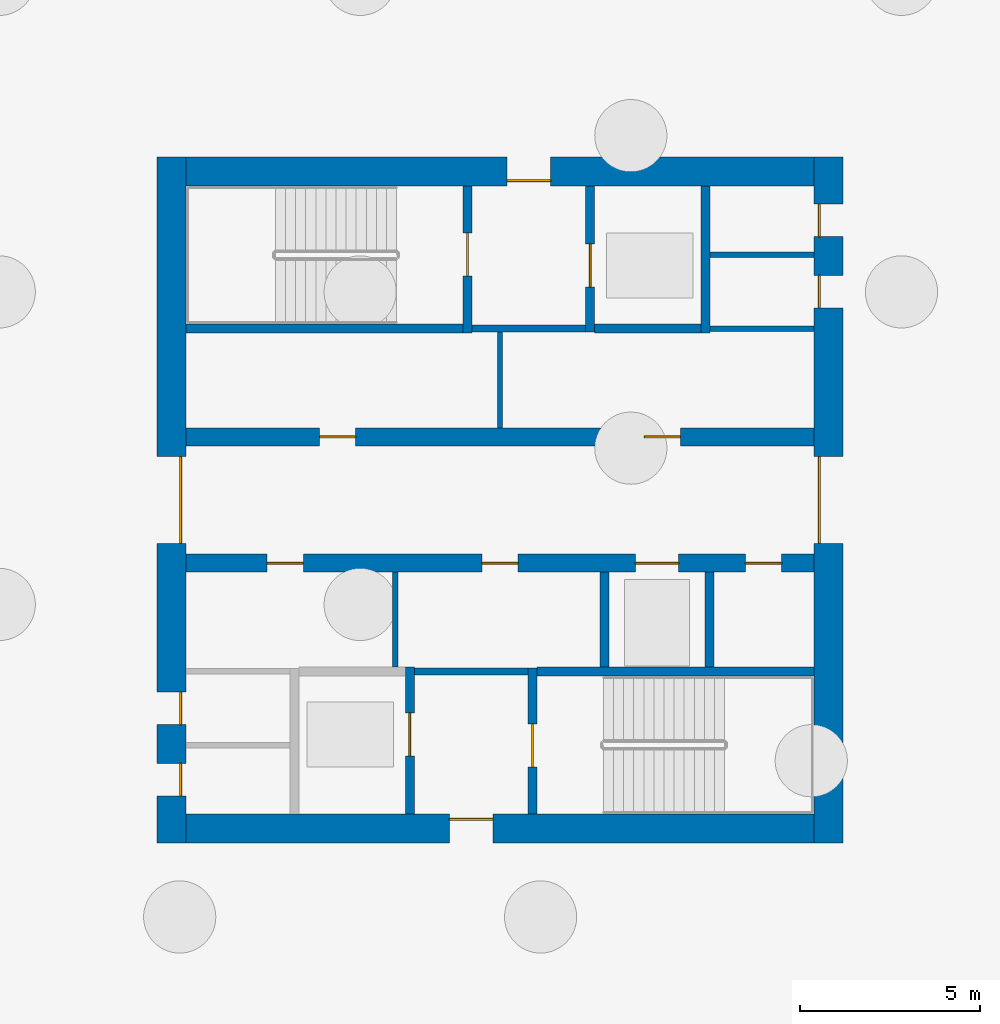
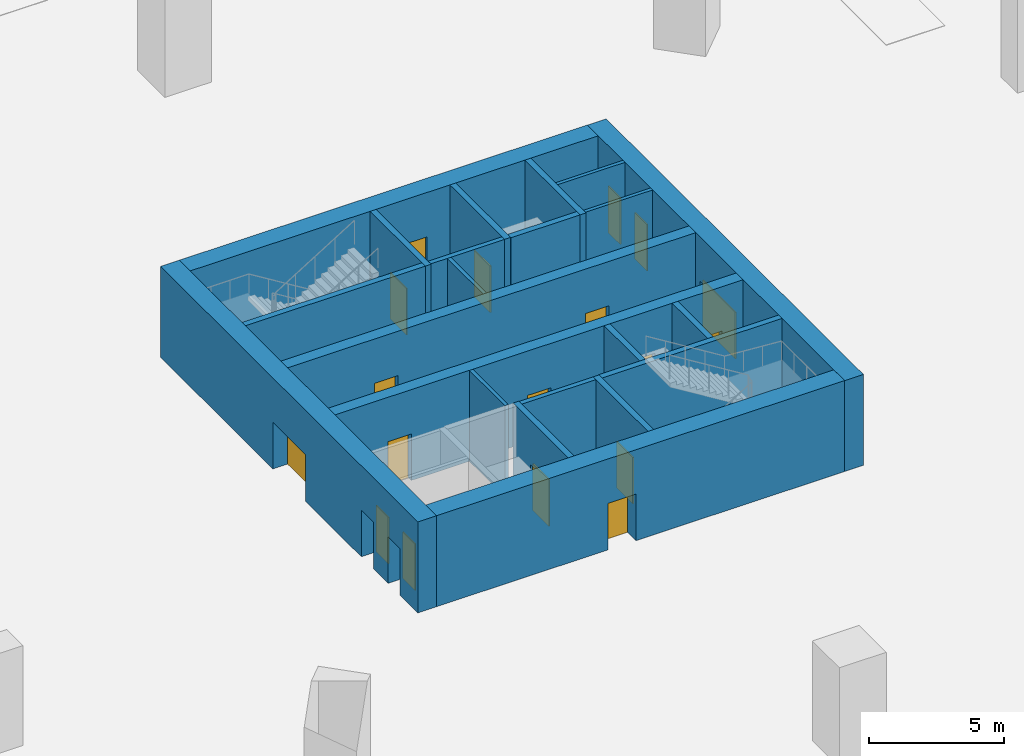
# One storey, part 15 of 39: 22 walls, 18 doors, 18 openings.
"""IFC4 building model written with IfcOpenShell, lengths in metres."""

from ifc_helpers import new_model, si_unit, direction, frame, frame_2d, origin, place, context, subcontext, project, spatial, rectangle, extrude, material, layer, layer_set, type_object, element, fill, save


model = new_model("IFC4")

# Units and contexts
model_context = context("Model", 3, precision=1e-05, world=origin(), true_north=direction((0.0, 1.0)))
body_context = subcontext(model_context, "Body", "Model", "MODEL_VIEW")
ifc_project = project(units=[si_unit("LENGTHUNIT", "METRE"), si_unit("AREAUNIT", "SQUARE_METRE"), si_unit("VOLUMEUNIT", "CUBIC_METRE"), si_unit("PLANEANGLEUNIT", "RADIAN"), si_unit("MASSUNIT", "GRAM", prefix="KILO")], contexts=[model_context])

# Site, building, storey
site_placement = place(None, origin())
site = spatial("IfcSite", under=ifc_project, at=site_placement, CompositionType="ELEMENT")
building_placement = place(site_placement, origin())
building = spatial("IfcBuilding", under=site, at=building_placement, Name="Ogive Gate Towers", CompositionType="ELEMENT")
storey_placement = place(building_placement, frame((0.0, 0.0, -9.0)))
storey = spatial("IfcBuildingStorey", under=building, at=storey_placement, Name="B2", CompositionType="ELEMENT", Elevation=-9.0)

# Walls
ifc_material_1 = material(Name="Masonry blockwork", Category="masonry")
ifc_layer_1 = layer(ifc_material_1, 0.199951171875)
ifc_layer_set_1 = layer_set([ifc_layer_1], Name="Blockwork wall 200 mm")
wall_type_1 = type_object("IfcWallType", Name="Blockwork wall 200 mm", PredefinedType="PARTITIONING", material=ifc_layer_set_1)
for number, where, z_axis, x_axis, name in (
    (1, (-38.375, -4.75, 0.0), (0.0, 0.0, 1.0), (1.0, 0.0, 0.0), "T1 B2 Blockwork wall 200 mm"),
    (2, (-36.77490234375, 4.75, 0.0), (0.0, 0.0, 1.0), (1.0, 0.0, 0.0), "T1 B2 Blockwork wall 200 mm"),
):
    element("IfcWall", number, at=place(storey_placement, frame(where, z_axis=z_axis, x_axis=x_axis)), inside=storey, type_object=wall_type_1, Name=name, PredefinedType="PARTITIONING", context=body_context, shape_type="SweptSolid", body=[
        extrude(rectangle(XDim=3.14990234375, YDim=0.199951171875, at=frame_2d((1.574951171875, 0.0))), origin(), (0.0, 0.0, 1.0), 4.10009765625),
    ])

# Wall, opening, door
ifc_material_2 = material(Name="Concrete C60/75", Category="concrete")
ifc_layer_2 = layer(ifc_material_2, 0.800048828125)
ifc_layer_set_2 = layer_set([ifc_layer_2], Name="Core wall 800 mm")
wall_type_2 = type_object("IfcWallType", Name="Core wall 800 mm", PredefinedType="SHEAR", material=ifc_layer_set_2)
wall_1_placement = place(storey_placement, frame((-44.699951171875, -9.10009765625, 0.0), z_axis=(0.0, 0.0, 1.0), x_axis=(1.0, 0.0, 0.0)))
wall_1 = element("IfcWall", 3, at=wall_1_placement, inside=storey, type_object=wall_type_2, Name="T1 B2 Core wall 800 mm", PredefinedType="SHEAR", context=body_context, shape_type="SweptSolid", body=[
    extrude(rectangle(XDim=17.39990234375, YDim=0.800048828125, at=frame_2d((8.699951171875, 0.0))), origin(), (0.0, 0.0, 1.0), 4.10009765625),
])
opening_1_placement = place(wall_1_placement, frame((7.300048828125, 0.0, 0.0)))
opening_1 = element("IfcOpeningElement", 4, at=opening_1_placement, cuts=wall_1, Name="Opening KD-T1-B2-14", PredefinedType="OPENING", context=body_context, shape_type="SweptSolid", body=[
    extrude(rectangle(XDim=1.199951171875, YDim=2.10009765625, at=frame_2d((0.60009765625, 1.050048828125))), frame((0.0, 0.41015625, 0.0), z_axis=(0.0, -1.0, 0.0), x_axis=(1.0, 0.0, 0.0)), (0.0, 0.0, 1.0), 0.820068359375),
])
ifc_material_3 = material(Name="Steel fire door", Category="steel")
door_type_1 = type_object("IfcDoorType", Name="Core door FD60S 1200 x 2100", OperationType="NOTDEFINED", PredefinedType="DOOR", material=ifc_material_3)
door_1_placement = place(opening_1_placement, origin())
door_1 = element("IfcDoor", 5, at=door_1_placement, inside=storey, type_object=door_type_1, Name="T1 B2 Fire-fighting lobby door", OperationType="SINGLE_SWING_LEFT", OverallHeight=2.10009765625, OverallWidth=1.199951171875, PredefinedType="DOOR", context=body_context, shape_type="SweptSolid", body=[
    extrude(rectangle(XDim=1.199951171875, YDim=2.10009765625, at=frame_2d((0.60009765625, 1.050048828125))), frame((0.0, 0.27490234375, 0.0), z_axis=(0.0, -1.0, 0.0), x_axis=(1.0, 0.0, 0.0)), (0.0, 0.0, 1.0), 0.050048828125),
])
fill(opening_1, door_1)

wall_2_placement = place(storey_placement, frame((-44.699951171875, 9.10009765625, 0.0), z_axis=(0.0, 0.0, 1.0), x_axis=(1.0, 0.0, 0.0)))
wall_2 = element("IfcWall", 6, at=wall_2_placement, inside=storey, type_object=wall_type_2, Name="T1 B2 Core wall 800 mm", PredefinedType="SHEAR", context=body_context, shape_type="SweptSolid", body=[
    extrude(rectangle(XDim=17.39990234375, YDim=0.800048828125, at=frame_2d((8.699951171875, 0.0))), origin(), (0.0, 0.0, 1.0), 4.10009765625),
])
opening_2_placement = place(wall_2_placement, frame((8.89990234375, 0.0, 0.0)))
opening_2 = element("IfcOpeningElement", 7, at=opening_2_placement, cuts=wall_2, Name="Opening KD-T1-B2-13", PredefinedType="OPENING", context=body_context, shape_type="SweptSolid", body=[
    extrude(rectangle(XDim=1.199951171875, YDim=2.10009765625, at=frame_2d((0.60009765625, 1.050048828125))), frame((0.0, 0.41015625, 0.0), z_axis=(0.0, -1.0, 0.0), x_axis=(1.0, 0.0, 0.0)), (0.0, 0.0, 1.0), 0.820068359375),
])
door_2_placement = place(opening_2_placement, origin())
door_2 = element("IfcDoor", 8, at=door_2_placement, inside=storey, type_object=door_type_1, Name="T1 B2 Fire-fighting lobby door", OperationType="SINGLE_SWING_RIGHT", OverallHeight=2.10009765625, OverallWidth=1.199951171875, PredefinedType="DOOR", context=body_context, shape_type="SweptSolid", body=[
    extrude(rectangle(XDim=1.199951171875, YDim=2.10009765625, at=frame_2d((0.60009765625, 1.050048828125))), frame((0.0, -0.22509765625, 0.0), z_axis=(0.0, -1.0, 0.0), x_axis=(1.0, 0.0, 0.0)), (0.0, 0.0, 1.0), 0.050048828125),
])
fill(opening_2, door_2)

# Wall, openings, doors
wall_3_placement = place(storey_placement, frame((-45.10009765625, -9.5, 0.0), z_axis=(0.0, 0.0, 1.0), x_axis=(0.0, 1.0, 0.0)))
wall_3 = element("IfcWall", 9, at=wall_3_placement, inside=storey, type_object=wall_type_2, Name="T1 B2 Core wall 800 mm", PredefinedType="SHEAR", context=body_context, shape_type="SweptSolid", body=[
    extrude(rectangle(XDim=19.0, YDim=0.800048828125, at=frame_2d((9.5, 0.0))), origin(), (0.0, 0.0, 1.0), 4.10009765625),
])
opening_3_placement = place(wall_3_placement, frame((8.300048828125, 0.0, 0.0)))
opening_3 = element("IfcOpeningElement", 10, at=opening_3_placement, cuts=wall_3, Name="Opening KD-T1-B2-01", PredefinedType="OPENING", context=body_context, shape_type="SweptSolid", body=[
    extrude(rectangle(XDim=2.39990234375, YDim=2.10009765625, at=frame_2d((1.199951171875, 1.050048828125))), frame((0.0, 0.41015625, 0.0), z_axis=(0.0, -1.0, 0.0), x_axis=(1.0, 0.0, 0.0)), (0.0, 0.0, 1.0), 0.820068359375),
])
opening_4_placement = place(wall_3_placement, frame((1.300048828125, 0.0, 0.0)))
opening_4 = element("IfcOpeningElement", 11, at=opening_4_placement, cuts=wall_3, Name="Opening KD-T1-B2-17", PredefinedType="OPENING", context=body_context, shape_type="SweptSolid", body=[
    extrude(rectangle(XDim=0.89990234375, YDim=2.10009765625, at=frame_2d((0.449951171875, 1.050048828125))), frame((0.0, 0.41015625, 0.0), z_axis=(0.0, -1.0, 0.0), x_axis=(1.0, 0.0, 0.0)), (0.0, 0.0, 1.0), 0.820068359375),
])
opening_5_placement = place(wall_3_placement, frame((3.27490234375, 0.0, 0.0)))
opening_5 = element("IfcOpeningElement", 12, at=opening_5_placement, cuts=wall_3, Name="Opening KD-T1-B2-18", PredefinedType="OPENING", context=body_context, shape_type="SweptSolid", body=[
    extrude(rectangle(XDim=0.89990234375, YDim=2.10009765625, at=frame_2d((0.449951171875, 1.050048828125))), frame((0.0, 0.41015625, 0.0), z_axis=(0.0, -1.0, 0.0), x_axis=(1.0, 0.0, 0.0)), (0.0, 0.0, 1.0), 0.820068359375),
])
door_type_2 = type_object("IfcDoorType", Name="Core door FD60S 900 x 2100", OperationType="NOTDEFINED", PredefinedType="DOOR", material=ifc_material_3)
door_3_placement = place(opening_4_placement, origin())
door_3 = element("IfcDoor", 13, at=door_3_placement, inside=storey, type_object=door_type_2, Name="T1 B2 Core door", OperationType="SINGLE_SWING_RIGHT", OverallHeight=2.10009765625, OverallWidth=0.89990234375, PredefinedType="DOOR", context=body_context, shape_type="SweptSolid", body=[
    extrude(rectangle(XDim=0.89990234375, YDim=2.10009765625, at=frame_2d((0.449951171875, 1.050048828125))), frame((0.0, -0.22509765625, 0.0), z_axis=(0.0, -1.0, 0.0), x_axis=(1.0, 0.0, 0.0)), (0.0, 0.0, 1.0), 0.050048828125),
])
fill(opening_4, door_3)
door_4_placement = place(opening_5_placement, origin())
door_4 = element("IfcDoor", 14, at=door_4_placement, inside=storey, type_object=door_type_2, Name="T1 B2 Core door", OperationType="SINGLE_SWING_LEFT", OverallHeight=2.10009765625, OverallWidth=0.89990234375, PredefinedType="DOOR", context=body_context, shape_type="SweptSolid", body=[
    extrude(rectangle(XDim=0.89990234375, YDim=2.10009765625, at=frame_2d((0.449951171875, 1.050048828125))), frame((0.0, -0.22509765625, 0.0), z_axis=(0.0, -1.0, 0.0), x_axis=(1.0, 0.0, 0.0)), (0.0, 0.0, 1.0), 0.050048828125),
])
fill(opening_5, door_4)
door_type_3 = type_object("IfcDoorType", Name="Core double door FD60S 2400 x 2100", OperationType="DOUBLE_DOOR_SINGLE_SWING", PredefinedType="DOOR", material=ifc_material_3)
door_5_placement = place(opening_3_placement, origin())
door_5 = element("IfcDoor", 15, at=door_5_placement, inside=storey, type_object=door_type_3, Name="T1 B2 Core door double", OperationType="DOUBLE_DOOR_SINGLE_SWING", OverallHeight=2.10009765625, OverallWidth=2.39990234375, PredefinedType="DOOR", context=body_context, shape_type="SweptSolid", body=[
    extrude(rectangle(XDim=2.39990234375, YDim=2.10009765625, at=frame_2d((1.199951171875, 1.050048828125))), frame((0.0, -0.22509765625, 0.0), z_axis=(0.0, -1.0, 0.0), x_axis=(1.0, 0.0, 0.0)), (0.0, 0.0, 1.0), 0.050048828125),
])
fill(opening_3, door_5)

wall_4_placement = place(storey_placement, frame((-26.89990234375, -9.5, 0.0), z_axis=(0.0, 0.0, 1.0), x_axis=(0.0, 1.0, 0.0)))
wall_4 = element("IfcWall", 16, at=wall_4_placement, inside=storey, type_object=wall_type_2, Name="T1 B2 Core wall 800 mm", PredefinedType="SHEAR", context=body_context, shape_type="SweptSolid", body=[
    extrude(rectangle(XDim=19.0, YDim=0.800048828125, at=frame_2d((9.5, 0.0))), origin(), (0.0, 0.0, 1.0), 4.10009765625),
])
opening_6_placement = place(wall_4_placement, frame((8.300048828125, 0.0, 0.0)))
opening_6 = element("IfcOpeningElement", 17, at=opening_6_placement, cuts=wall_4, Name="Opening KD-T1-B2-02", PredefinedType="OPENING", context=body_context, shape_type="SweptSolid", body=[
    extrude(rectangle(XDim=2.39990234375, YDim=2.10009765625, at=frame_2d((1.199951171875, 1.050048828125))), frame((0.0, 0.41015625, 0.0), z_axis=(0.0, -1.0, 0.0), x_axis=(1.0, 0.0, 0.0)), (0.0, 0.0, 1.0), 0.820068359375),
])
opening_7_placement = place(wall_4_placement, frame((14.824951171875, 0.0, 0.0)))
opening_7 = element("IfcOpeningElement", 18, at=opening_7_placement, cuts=wall_4, Name="Opening KD-T1-B2-15", PredefinedType="OPENING", context=body_context, shape_type="SweptSolid", body=[
    extrude(rectangle(XDim=0.89990234375, YDim=2.10009765625, at=frame_2d((0.449951171875, 1.050048828125))), frame((0.0, 0.41015625, 0.0), z_axis=(0.0, -1.0, 0.0), x_axis=(1.0, 0.0, 0.0)), (0.0, 0.0, 1.0), 0.820068359375),
])
opening_8_placement = place(wall_4_placement, frame((16.800048828125, 0.0, 0.0)))
opening_8 = element("IfcOpeningElement", 19, at=opening_8_placement, cuts=wall_4, Name="Opening KD-T1-B2-16", PredefinedType="OPENING", context=body_context, shape_type="SweptSolid", body=[
    extrude(rectangle(XDim=0.89990234375, YDim=2.10009765625, at=frame_2d((0.449951171875, 1.050048828125))), frame((0.0, 0.41015625, 0.0), z_axis=(0.0, -1.0, 0.0), x_axis=(1.0, 0.0, 0.0)), (0.0, 0.0, 1.0), 0.820068359375),
])
door_6_placement = place(opening_7_placement, origin())
door_6 = element("IfcDoor", 20, at=door_6_placement, inside=storey, type_object=door_type_2, Name="T1 B2 Core door", OperationType="SINGLE_SWING_RIGHT", OverallHeight=2.10009765625, OverallWidth=0.89990234375, PredefinedType="DOOR", context=body_context, shape_type="SweptSolid", body=[
    extrude(rectangle(XDim=0.89990234375, YDim=2.10009765625, at=frame_2d((0.449951171875, 1.050048828125))), frame((0.0, 0.27490234375, 0.0), z_axis=(0.0, -1.0, 0.0), x_axis=(1.0, 0.0, 0.0)), (0.0, 0.0, 1.0), 0.050048828125),
])
fill(opening_7, door_6)
door_7_placement = place(opening_8_placement, origin())
door_7 = element("IfcDoor", 21, at=door_7_placement, inside=storey, type_object=door_type_2, Name="T1 B2 Core door", OperationType="SINGLE_SWING_LEFT", OverallHeight=2.10009765625, OverallWidth=0.89990234375, PredefinedType="DOOR", context=body_context, shape_type="SweptSolid", body=[
    extrude(rectangle(XDim=0.89990234375, YDim=2.10009765625, at=frame_2d((0.449951171875, 1.050048828125))), frame((0.0, 0.27490234375, 0.0), z_axis=(0.0, -1.0, 0.0), x_axis=(1.0, 0.0, 0.0)), (0.0, 0.0, 1.0), 0.050048828125),
])
fill(opening_8, door_7)
door_8_placement = place(opening_6_placement, origin())
door_8 = element("IfcDoor", 22, at=door_8_placement, inside=storey, type_object=door_type_3, Name="T1 B2 Core door double", OperationType="DOUBLE_DOOR_SINGLE_SWING", OverallHeight=2.10009765625, OverallWidth=2.39990234375, PredefinedType="DOOR", context=body_context, shape_type="SweptSolid", body=[
    extrude(rectangle(XDim=2.39990234375, YDim=2.10009765625, at=frame_2d((1.199951171875, 1.050048828125))), frame((0.0, 0.27490234375, 0.0), z_axis=(0.0, -1.0, 0.0), x_axis=(1.0, 0.0, 0.0)), (0.0, 0.0, 1.0), 0.050048828125),
])
fill(opening_6, door_8)

# Walls
ifc_material_4 = material(Name="Gypsum board partition")
ifc_layer_3 = layer(ifc_material_4, 0.14990234375)
ifc_layer_set_3 = layer_set([ifc_layer_3], Name="Room partition 150 mm")
wall_type_3 = type_object("IfcWallType", Name="Room partition 150 mm", PredefinedType="PARTITIONING", material=ifc_layer_set_3)
for number, where, z_axis, x_axis, name in (
    (23, (-30.175048828125, 4.75, 0.0), (0.0, 0.0, 1.0), (1.0, 0.0, 0.0), "T1 B2 Room partition 150 mm"),
    (24, (-30.175048828125, 6.800048828125, 0.0), (0.0, 0.0, 1.0), (1.0, 0.0, 0.0), "T1 B2 Room partition 150 mm"),
):
    element("IfcWall", number, at=place(storey_placement, frame(where, z_axis=z_axis, x_axis=x_axis)), inside=storey, type_object=wall_type_3, Name=name, PredefinedType="PARTITIONING", context=body_context, shape_type="SweptSolid", body=[
        extrude(rectangle(XDim=2.875, YDim=0.14990234375, at=frame_2d((1.4375, 0.0))), origin(), (0.0, 0.0, 1.0), 4.10009765625),
    ])
wall_5_placement = place(storey_placement, frame((-38.89990234375, -4.625, 0.0), z_axis=(0.0, 0.0, 1.0), x_axis=(0.0, 1.0, 0.0)))
element("IfcWall", 25, at=wall_5_placement, inside=storey, type_object=wall_type_3, Name="T1 B2 Room partition 150 mm", PredefinedType="PARTITIONING", context=body_context, shape_type="SweptSolid", body=[
    extrude(rectangle(XDim=2.625, YDim=0.14990234375, at=frame_2d((1.3125, 0.0))), origin(), (0.0, 0.0, 1.0), 4.10009765625),
])
wall_6_placement = place(storey_placement, frame((-36.0, 2.0, 0.0), z_axis=(0.0, 0.0, 1.0), x_axis=(0.0, 1.0, 0.0)))
element("IfcWall", 26, at=wall_6_placement, inside=storey, type_object=wall_type_3, Name="T1 B2 Room partition 150 mm", PredefinedType="PARTITIONING", context=body_context, shape_type="SweptSolid", body=[
    extrude(rectangle(XDim=2.64990234375, YDim=0.14990234375, at=frame_2d((1.324951171875, 0.0))), origin(), (0.0, 0.0, 1.0), 4.10009765625),
])
ifc_layer_4 = layer(ifc_material_2, 0.25)
ifc_layer_set_4 = layer_set([ifc_layer_4], Name="Shaft wall 250 mm")
wall_type_4 = type_object("IfcWallType", Name="Shaft wall 250 mm", PredefinedType="SHEAR", material=ifc_layer_set_4)
for number, where, z_axis, x_axis, name in (
    (27, (-34.97509765625, -4.75, 0.0), (0.0, 0.0, 1.0), (1.0, 0.0, 0.0), "T1 B2 Shaft wall 250 mm"),
    (28, (-44.699951171875, 4.75, 0.0), (0.0, 0.0, 1.0), (1.0, 0.0, 0.0), "T1 B2 Shaft wall 250 mm"),
):
    element("IfcWall", number, at=place(storey_placement, frame(where, z_axis=z_axis, x_axis=x_axis)), inside=storey, type_object=wall_type_4, Name=name, PredefinedType="SHEAR", context=body_context, shape_type="SweptSolid", body=[
        extrude(rectangle(XDim=7.675048828125, YDim=0.25, at=frame_2d((3.83740234375, 0.0))), origin(), (0.0, 0.0, 1.0), 4.10009765625),
    ])
wall_7_placement = place(storey_placement, frame((-33.375, 4.75, 0.0), z_axis=(0.0, 0.0, 1.0), x_axis=(1.0, 0.0, 0.0)))
element("IfcWall", 29, at=wall_7_placement, inside=storey, type_object=wall_type_4, Name="T1 B2 Shaft wall 250 mm", PredefinedType="SHEAR", context=body_context, shape_type="SweptSolid", body=[
    extrude(rectangle(XDim=2.949951171875, YDim=0.25, at=frame_2d((1.47509765625, 0.0))), origin(), (0.0, 0.0, 1.0), 4.10009765625),
])

# Wall, opening, door
wall_8_placement = place(storey_placement, frame((-38.5, -8.699951171875, 0.0), z_axis=(0.0, 0.0, 1.0), x_axis=(0.0, 1.0, 0.0)))
wall_8 = element("IfcWall", 30, at=wall_8_placement, inside=storey, type_object=wall_type_4, Name="T1 B2 Shaft wall 250 mm", PredefinedType="SHEAR", context=body_context, shape_type="SweptSolid", body=[
    extrude(rectangle(XDim=4.074951171875, YDim=0.25, at=frame_2d((2.03759765625, 0.0))), origin(), (0.0, 0.0, 1.0), 4.10009765625),
])
opening_9_placement = place(wall_8_placement, frame((1.60009765625, 0.0, 0.0)))
opening_9 = element("IfcOpeningElement", 31, at=opening_9_placement, cuts=wall_8, Name="Opening LD-T1-B2-07", PredefinedType="OPENING", context=body_context, shape_type="SweptSolid", body=[
    extrude(rectangle(XDim=1.199951171875, YDim=2.10009765625, at=frame_2d((0.60009765625, 1.050048828125))), frame((0.0, 0.135009765625, 0.0), z_axis=(0.0, -1.0, 0.0), x_axis=(1.0, 0.0, 0.0)), (0.0, 0.0, 1.0), 0.27001953125),
])
ifc_material_5 = material(Name="Stainless steel landing door", Category="steel")
door_type_4 = type_object("IfcDoorType", Name="Landing door 1200 x 2100", OperationType="SLIDING_TO_LEFT", PredefinedType="DOOR", material=ifc_material_5)
door_9_placement = place(opening_9_placement, origin())
door_9 = element("IfcDoor", 32, at=door_9_placement, inside=storey, type_object=door_type_4, Name="T1 B2 Lift landing door FF2", OperationType="SLIDING_TO_LEFT", OverallHeight=2.10009765625, OverallWidth=1.199951171875, PredefinedType="DOOR", context=body_context, shape_type="SweptSolid", body=[
    extrude(rectangle(XDim=1.199951171875, YDim=2.10009765625, at=frame_2d((0.60009765625, 1.050048828125))), frame((0.0, 0.02490234375, 0.0), z_axis=(0.0, -1.0, 0.0), x_axis=(1.0, 0.0, 0.0)), (0.0, 0.0, 1.0), 0.050048828125),
])
fill(opening_9, door_9)

wall_9_placement = place(storey_placement, frame((-36.89990234375, 4.625, 0.0), z_axis=(0.0, 0.0, 1.0), x_axis=(0.0, 1.0, 0.0)))
wall_9 = element("IfcWall", 33, at=wall_9_placement, inside=storey, type_object=wall_type_4, Name="T1 B2 Shaft wall 250 mm", PredefinedType="SHEAR", context=body_context, shape_type="SweptSolid", body=[
    extrude(rectangle(XDim=4.074951171875, YDim=0.25, at=frame_2d((2.03759765625, 0.0))), origin(), (0.0, 0.0, 1.0), 4.10009765625),
])
opening_10_placement = place(wall_9_placement, frame((1.574951171875, 0.0, 0.0)))
opening_10 = element("IfcOpeningElement", 34, at=opening_10_placement, cuts=wall_9, Name="Opening KD-T1-B2-11", PredefinedType="OPENING", context=body_context, shape_type="SweptSolid", body=[
    extrude(rectangle(XDim=1.199951171875, YDim=2.10009765625, at=frame_2d((0.60009765625, 1.050048828125))), frame((0.0, 0.135009765625, 0.0), z_axis=(0.0, -1.0, 0.0), x_axis=(1.0, 0.0, 0.0)), (0.0, 0.0, 1.0), 0.27001953125),
])
door_10_placement = place(opening_10_placement, origin())
door_10 = element("IfcDoor", 35, at=door_10_placement, inside=storey, type_object=door_type_1, Name="T1 B2 Stair door", OperationType="SINGLE_SWING_RIGHT", OverallHeight=2.10009765625, OverallWidth=1.199951171875, PredefinedType="DOOR", context=body_context, shape_type="SweptSolid", body=[
    extrude(rectangle(XDim=1.199951171875, YDim=2.10009765625, at=frame_2d((0.60009765625, 1.050048828125))), frame((0.0, 0.02490234375, 0.0), z_axis=(0.0, -1.0, 0.0), x_axis=(1.0, 0.0, 0.0)), (0.0, 0.0, 1.0), 0.050048828125),
])
fill(opening_10, door_10)

wall_10_placement = place(storey_placement, frame((-35.10009765625, -8.699951171875, 0.0), z_axis=(0.0, 0.0, 1.0), x_axis=(0.0, 1.0, 0.0)))
wall_10 = element("IfcWall", 36, at=wall_10_placement, inside=storey, type_object=wall_type_4, Name="T1 B2 Shaft wall 250 mm", PredefinedType="SHEAR", context=body_context, shape_type="SweptSolid", body=[
    extrude(rectangle(XDim=4.050048828125, YDim=0.25, at=frame_2d((2.02490234375, 0.0))), origin(), (0.0, 0.0, 1.0), 4.10009765625),
])
opening_11_placement = place(wall_10_placement, frame((1.300048828125, 0.0, 0.0)))
opening_11 = element("IfcOpeningElement", 37, at=opening_11_placement, cuts=wall_10, Name="Opening KD-T1-B2-12", PredefinedType="OPENING", context=body_context, shape_type="SweptSolid", body=[
    extrude(rectangle(XDim=1.199951171875, YDim=2.10009765625, at=frame_2d((0.60009765625, 1.050048828125))), frame((0.0, 0.135009765625, 0.0), z_axis=(0.0, -1.0, 0.0), x_axis=(1.0, 0.0, 0.0)), (0.0, 0.0, 1.0), 0.27001953125),
])
door_11_placement = place(opening_11_placement, origin())
door_11 = element("IfcDoor", 38, at=door_11_placement, inside=storey, type_object=door_type_1, Name="T1 B2 Stair door", OperationType="SINGLE_SWING_LEFT", OverallHeight=2.10009765625, OverallWidth=1.199951171875, PredefinedType="DOOR", context=body_context, shape_type="SweptSolid", body=[
    extrude(rectangle(XDim=1.199951171875, YDim=2.10009765625, at=frame_2d((0.60009765625, 1.050048828125))), frame((0.0, 0.02490234375, 0.0), z_axis=(0.0, -1.0, 0.0), x_axis=(1.0, 0.0, 0.0)), (0.0, 0.0, 1.0), 0.050048828125),
])
fill(opening_11, door_11)

wall_11_placement = place(storey_placement, frame((-33.5, 4.64990234375, 0.0), z_axis=(0.0, 0.0, 1.0), x_axis=(0.0, 1.0, 0.0)))
wall_11 = element("IfcWall", 39, at=wall_11_placement, inside=storey, type_object=wall_type_4, Name="T1 B2 Shaft wall 250 mm", PredefinedType="SHEAR", context=body_context, shape_type="SweptSolid", body=[
    extrude(rectangle(XDim=4.050048828125, YDim=0.25, at=frame_2d((2.02490234375, 0.0))), origin(), (0.0, 0.0, 1.0), 4.10009765625),
])
opening_12_placement = place(wall_11_placement, frame((1.25, 0.0, 0.0)))
opening_12 = element("IfcOpeningElement", 40, at=opening_12_placement, cuts=wall_11, Name="Opening LD-T1-B2-06", PredefinedType="OPENING", context=body_context, shape_type="SweptSolid", body=[
    extrude(rectangle(XDim=1.199951171875, YDim=2.10009765625, at=frame_2d((0.60009765625, 1.050048828125))), frame((0.0, 0.135009765625, 0.0), z_axis=(0.0, -1.0, 0.0), x_axis=(1.0, 0.0, 0.0)), (0.0, 0.0, 1.0), 0.27001953125),
])
door_12_placement = place(opening_12_placement, origin())
door_12 = element("IfcDoor", 41, at=door_12_placement, inside=storey, type_object=door_type_4, Name="T1 B2 Lift landing door FF1", OperationType="SLIDING_TO_LEFT", OverallHeight=2.10009765625, OverallWidth=1.199951171875, PredefinedType="DOOR", context=body_context, shape_type="SweptSolid", body=[
    extrude(rectangle(XDim=1.199951171875, YDim=2.10009765625, at=frame_2d((0.60009765625, 1.050048828125))), frame((0.0, 0.02490234375, 0.0), z_axis=(0.0, -1.0, 0.0), x_axis=(1.0, 0.0, 0.0)), (0.0, 0.0, 1.0), 0.050048828125),
])
fill(opening_12, door_12)

# Walls
wall_12_placement = place(storey_placement, frame((-33.10009765625, -4.625, 0.0), z_axis=(0.0, 0.0, 1.0), x_axis=(0.0, 1.0, 0.0)))
element("IfcWall", 42, at=wall_12_placement, inside=storey, type_object=wall_type_4, Name="T1 B2 Shaft wall 250 mm", PredefinedType="SHEAR", context=body_context, shape_type="SweptSolid", body=[
    extrude(rectangle(XDim=2.625, YDim=0.25, at=frame_2d((1.3125, 0.0))), origin(), (0.0, 0.0, 1.0), 4.10009765625),
])
wall_13_placement = place(storey_placement, frame((-30.300048828125, 4.625, 0.0), z_axis=(0.0, 0.0, 1.0), x_axis=(0.0, 1.0, 0.0)))
element("IfcWall", 43, at=wall_13_placement, inside=storey, type_object=wall_type_4, Name="T1 B2 Shaft wall 250 mm", PredefinedType="SHEAR", context=body_context, shape_type="SweptSolid", body=[
    extrude(rectangle(XDim=4.074951171875, YDim=0.25, at=frame_2d((2.03759765625, 0.0))), origin(), (0.0, 0.0, 1.0), 4.10009765625),
])
wall_14_placement = place(storey_placement, frame((-30.199951171875, -4.625, 0.0), z_axis=(0.0, 0.0, 1.0), x_axis=(0.0, 1.0, 0.0)))
element("IfcWall", 44, at=wall_14_placement, inside=storey, type_object=wall_type_4, Name="T1 B2 Shaft wall 250 mm", PredefinedType="SHEAR", context=body_context, shape_type="SweptSolid", body=[
    extrude(rectangle(XDim=2.625, YDim=0.25, at=frame_2d((1.3125, 0.0))), origin(), (0.0, 0.0, 1.0), 4.10009765625),
])

# Wall, openings, doors
ifc_layer_5 = layer(ifc_material_2, 0.5)
ifc_layer_set_5 = layer_set([ifc_layer_5], Name="Spine wall 500 mm")
wall_type_5 = type_object("IfcWallType", Name="Spine wall 500 mm", PredefinedType="SHEAR", material=ifc_layer_set_5)
wall_15_placement = place(storey_placement, frame((-44.699951171875, -1.75, 0.0), z_axis=(0.0, 0.0, 1.0), x_axis=(1.0, 0.0, 0.0)))
wall_15 = element("IfcWall", 45, at=wall_15_placement, inside=storey, type_object=wall_type_5, Name="T1 B2 Spine wall 500 mm", PredefinedType="SHEAR", context=body_context, shape_type="SweptSolid", body=[
    extrude(rectangle(XDim=17.39990234375, YDim=0.5, at=frame_2d((8.699951171875, 0.0))), origin(), (0.0, 0.0, 1.0), 4.10009765625),
])
opening_13_placement = place(wall_15_placement, frame((12.449951171875, 0.0, 0.0)))
opening_13 = element("IfcOpeningElement", 46, at=opening_13_placement, cuts=wall_15, Name="Opening LD-T1-B2-05", PredefinedType="OPENING", context=body_context, shape_type="SweptSolid", body=[
    extrude(rectangle(XDim=1.199951171875, YDim=2.10009765625, at=frame_2d((0.60009765625, 1.050048828125))), frame((0.0, 0.260009765625, 0.0), z_axis=(0.0, -1.0, 0.0), x_axis=(1.0, 0.0, 0.0)), (0.0, 0.0, 1.0), 0.52001953125),
])
opening_14_placement = place(wall_15_placement, frame((2.25, 0.0, 0.0)))
opening_14 = element("IfcOpeningElement", 47, at=opening_14_placement, cuts=wall_15, Name="Opening KD-T1-B2-08", PredefinedType="OPENING", context=body_context, shape_type="SweptSolid", body=[
    extrude(rectangle(XDim=1.0, YDim=2.10009765625, at=frame_2d((0.5, 1.050048828125))), frame((0.0, 0.260009765625, 0.0), z_axis=(0.0, -1.0, 0.0), x_axis=(1.0, 0.0, 0.0)), (0.0, 0.0, 1.0), 0.52001953125),
])
opening_15_placement = place(wall_15_placement, frame((8.199951171875, 0.0, 0.0)))
opening_15 = element("IfcOpeningElement", 48, at=opening_15_placement, cuts=wall_15, Name="Opening KD-T1-B2-09", PredefinedType="OPENING", context=body_context, shape_type="SweptSolid", body=[
    extrude(rectangle(XDim=1.0, YDim=2.10009765625, at=frame_2d((0.5, 1.050048828125))), frame((0.0, 0.260009765625, 0.0), z_axis=(0.0, -1.0, 0.0), x_axis=(1.0, 0.0, 0.0)), (0.0, 0.0, 1.0), 0.52001953125),
])
opening_16_placement = place(wall_15_placement, frame((15.5, 0.0, 0.0)))
opening_16 = element("IfcOpeningElement", 49, at=opening_16_placement, cuts=wall_15, Name="Opening KD-T1-B2-10", PredefinedType="OPENING", context=body_context, shape_type="SweptSolid", body=[
    extrude(rectangle(XDim=1.0, YDim=2.10009765625, at=frame_2d((0.5, 1.050048828125))), frame((0.0, 0.260009765625, 0.0), z_axis=(0.0, -1.0, 0.0), x_axis=(1.0, 0.0, 0.0)), (0.0, 0.0, 1.0), 0.52001953125),
])
door_type_5 = type_object("IfcDoorType", Name="Core door FD60S 1000 x 2100", OperationType="NOTDEFINED", PredefinedType="DOOR", material=ifc_material_3)
door_13_placement = place(opening_14_placement, origin())
door_13 = element("IfcDoor", 50, at=door_13_placement, inside=storey, type_object=door_type_5, Name="T1 B2 Core door", OperationType="SINGLE_SWING_LEFT", OverallHeight=2.10009765625, OverallWidth=1.0, PredefinedType="DOOR", context=body_context, shape_type="SweptSolid", body=[
    extrude(rectangle(XDim=1.0, YDim=2.10009765625, at=frame_2d((0.5, 1.050048828125))), frame((0.0, 0.02490234375, 0.0), z_axis=(0.0, -1.0, 0.0), x_axis=(1.0, 0.0, 0.0)), (0.0, 0.0, 1.0), 0.050048828125),
])
fill(opening_14, door_13)
door_14_placement = place(opening_15_placement, origin())
door_14 = element("IfcDoor", 51, at=door_14_placement, inside=storey, type_object=door_type_5, Name="T1 B2 Core door", OperationType="SINGLE_SWING_RIGHT", OverallHeight=2.10009765625, OverallWidth=1.0, PredefinedType="DOOR", context=body_context, shape_type="SweptSolid", body=[
    extrude(rectangle(XDim=1.0, YDim=2.10009765625, at=frame_2d((0.5, 1.050048828125))), frame((0.0, 0.02490234375, 0.0), z_axis=(0.0, -1.0, 0.0), x_axis=(1.0, 0.0, 0.0)), (0.0, 0.0, 1.0), 0.050048828125),
])
fill(opening_15, door_14)
door_15_placement = place(opening_16_placement, origin())
door_15 = element("IfcDoor", 52, at=door_15_placement, inside=storey, type_object=door_type_5, Name="T1 B2 Core door", OperationType="SINGLE_SWING_LEFT", OverallHeight=2.10009765625, OverallWidth=1.0, PredefinedType="DOOR", context=body_context, shape_type="SweptSolid", body=[
    extrude(rectangle(XDim=1.0, YDim=2.10009765625, at=frame_2d((0.5, 1.050048828125))), frame((0.0, 0.02490234375, 0.0), z_axis=(0.0, -1.0, 0.0), x_axis=(1.0, 0.0, 0.0)), (0.0, 0.0, 1.0), 0.050048828125),
])
fill(opening_16, door_15)
door_16_placement = place(opening_13_placement, origin())
door_16 = element("IfcDoor", 53, at=door_16_placement, inside=storey, type_object=door_type_4, Name="T1 B2 Lift landing door SVC", OperationType="SLIDING_TO_LEFT", OverallHeight=2.10009765625, OverallWidth=1.199951171875, PredefinedType="DOOR", context=body_context, shape_type="SweptSolid", body=[
    extrude(rectangle(XDim=1.199951171875, YDim=2.10009765625, at=frame_2d((0.60009765625, 1.050048828125))), frame((0.0, 0.02490234375, 0.0), z_axis=(0.0, -1.0, 0.0), x_axis=(1.0, 0.0, 0.0)), (0.0, 0.0, 1.0), 0.050048828125),
])
fill(opening_13, door_16)

wall_16_placement = place(storey_placement, frame((-44.699951171875, 1.75, 0.0), z_axis=(0.0, 0.0, 1.0), x_axis=(1.0, 0.0, 0.0)))
wall_16 = element("IfcWall", 54, at=wall_16_placement, inside=storey, type_object=wall_type_5, Name="T1 B2 Spine wall 500 mm", PredefinedType="SHEAR", context=body_context, shape_type="SweptSolid", body=[
    extrude(rectangle(XDim=17.39990234375, YDim=0.5, at=frame_2d((8.699951171875, 0.0))), origin(), (0.0, 0.0, 1.0), 4.10009765625),
])
opening_17_placement = place(wall_16_placement, frame((3.699951171875, 0.0, 0.0)))
opening_17 = element("IfcOpeningElement", 55, at=opening_17_placement, cuts=wall_16, Name="Opening KD-T1-B2-03", PredefinedType="OPENING", context=body_context, shape_type="SweptSolid", body=[
    extrude(rectangle(XDim=1.0, YDim=2.10009765625, at=frame_2d((0.5, 1.050048828125))), frame((0.0, 0.260009765625, 0.0), z_axis=(0.0, -1.0, 0.0), x_axis=(1.0, 0.0, 0.0)), (0.0, 0.0, 1.0), 0.52001953125),
])
opening_18_placement = place(wall_16_placement, frame((12.699951171875, 0.0, 0.0)))
opening_18 = element("IfcOpeningElement", 56, at=opening_18_placement, cuts=wall_16, Name="Opening KD-T1-B2-04", PredefinedType="OPENING", context=body_context, shape_type="SweptSolid", body=[
    extrude(rectangle(XDim=1.0, YDim=2.10009765625, at=frame_2d((0.5, 1.050048828125))), frame((0.0, 0.260009765625, 0.0), z_axis=(0.0, -1.0, 0.0), x_axis=(1.0, 0.0, 0.0)), (0.0, 0.0, 1.0), 0.52001953125),
])
door_17_placement = place(opening_17_placement, origin())
door_17 = element("IfcDoor", 57, at=door_17_placement, inside=storey, type_object=door_type_5, Name="T1 B2 Core door", OperationType="SINGLE_SWING_RIGHT", OverallHeight=2.10009765625, OverallWidth=1.0, PredefinedType="DOOR", context=body_context, shape_type="SweptSolid", body=[
    extrude(rectangle(XDim=1.0, YDim=2.10009765625, at=frame_2d((0.5, 1.050048828125))), frame((0.0, 0.02490234375, 0.0), z_axis=(0.0, -1.0, 0.0), x_axis=(1.0, 0.0, 0.0)), (0.0, 0.0, 1.0), 0.050048828125),
])
fill(opening_17, door_17)
door_18_placement = place(opening_18_placement, origin())
door_18 = element("IfcDoor", 58, at=door_18_placement, inside=storey, type_object=door_type_5, Name="T1 B2 Core door", OperationType="SINGLE_SWING_LEFT", OverallHeight=2.10009765625, OverallWidth=1.0, PredefinedType="DOOR", context=body_context, shape_type="SweptSolid", body=[
    extrude(rectangle(XDim=1.0, YDim=2.10009765625, at=frame_2d((0.5, 1.050048828125))), frame((0.0, 0.02490234375, 0.0), z_axis=(0.0, -1.0, 0.0), x_axis=(1.0, 0.0, 0.0)), (0.0, 0.0, 1.0), 0.050048828125),
])
fill(opening_18, door_18)

save(model, "model.ifc")
